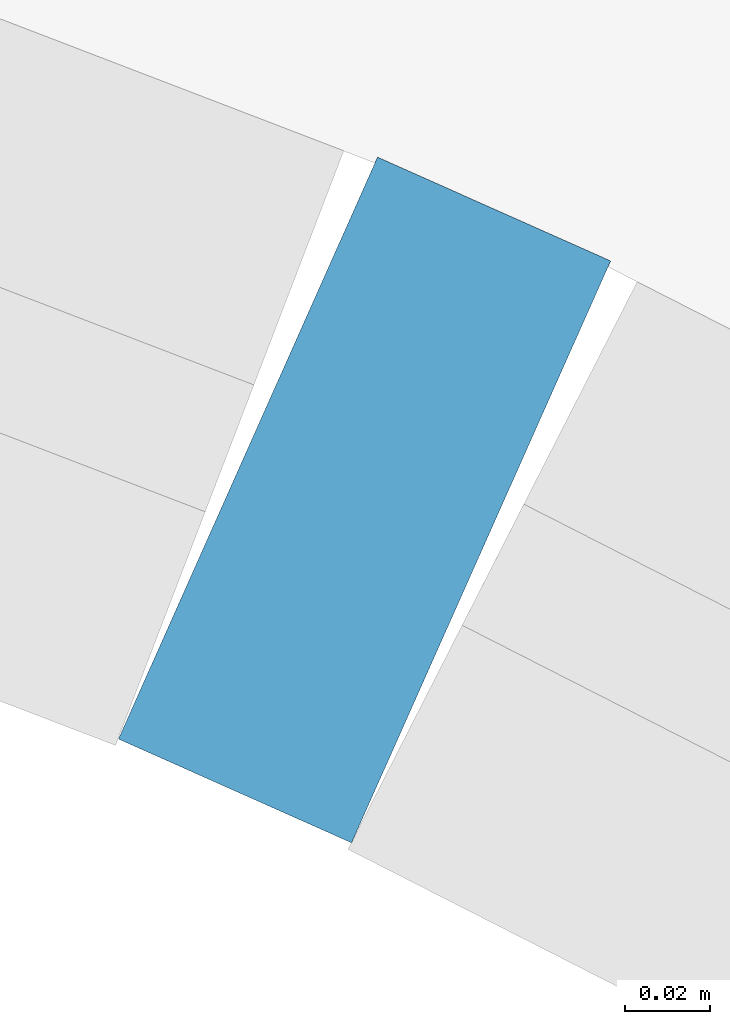
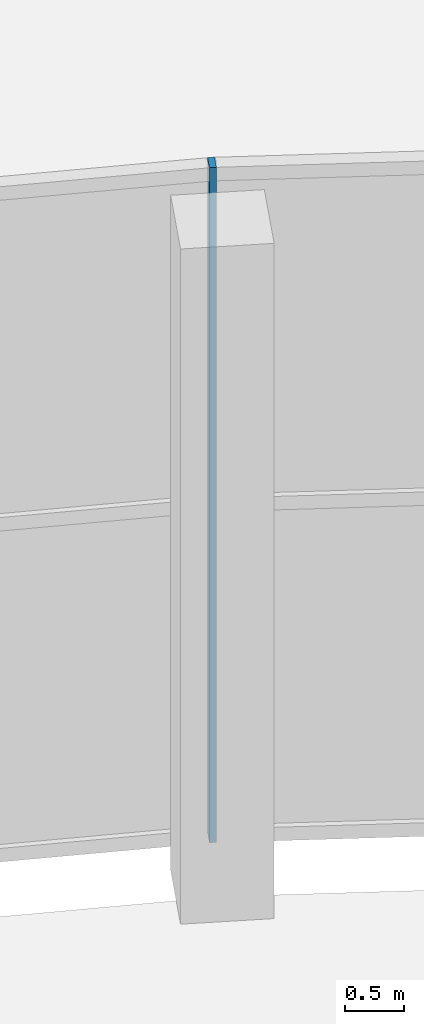
# One storey, part 18 of 60: 1 member, 1 element without a shape of its own.
"""IFC4 building model written with IfcOpenShell, lengths in metres."""

from ifc_helpers import new_model, si_unit, direction, frame, origin, origin_2d, place, context, subcontext, project, spatial, rectangle, extrude, material, layer, layer_set, material_profile, profile_set, type_object, element, aggregate, save


model = new_model("IFC4")

# Units and contexts
model_context = context("Model", 3, precision=1e-05, world=origin(), true_north=direction((0.0, 1.0)))
body_context = subcontext(model_context, "Body", "Model", "MODEL_VIEW")
ifc_project = project(units=[si_unit("LENGTHUNIT", "METRE"), si_unit("AREAUNIT", "SQUARE_METRE"), si_unit("VOLUMEUNIT", "CUBIC_METRE"), si_unit("PLANEANGLEUNIT", "RADIAN"), si_unit("MASSUNIT", "GRAM", prefix="KILO")], contexts=[model_context])

# Site, building, storey
site_placement = place(None, origin())
site = spatial("IfcSite", under=ifc_project, at=site_placement, CompositionType="ELEMENT")
building_placement = place(site_placement, origin())
building = spatial("IfcBuilding", under=site, at=building_placement, Name="Stone Belt Terrace Tower", CompositionType="ELEMENT")
storey_placement = place(building_placement, origin())
storey = spatial("IfcBuildingStorey", under=building, at=storey_placement, Name="L00", CompositionType="ELEMENT", Elevation=0.0)

# Curtain wall, member
ifc_material = material(Name="Aluminium 6063-T6 anodised frame", Category="aluminium")
ifc_layer = layer(ifc_material, 0.14990234375)
ifc_layer_set = layer_set([ifc_layer], Name="CW-D podium shopfront")
curtain_wall_type = type_object("IfcCurtainWallType", Name="CW-D podium shopfront", PredefinedType="NOTDEFINED", material=ifc_layer_set)
curtain_wall_placement = place(storey_placement, origin())
curtain_wall = element("IfcCurtainWall", 1, at=curtain_wall_placement, inside=storey, type_object=curtain_wall_type, Name="CW-D convex face L00", PredefinedType="NOTDEFINED")
ifc_material_profile = material_profile(ifc_material, rectangle(XDim=0.14990234375, YDim=0.06005859375, at=origin_2d()), Name="Aluminium 6063-T6 60x150")
ifc_profile_set = profile_set([ifc_material_profile], Name="Aluminium 6063-T6 anodised frame")
member_type = type_object("IfcMemberType", Name="CW-D mullion 60 x 150", PredefinedType="MULLION", material=ifc_profile_set)
member_placement = place(storey_placement, frame((30.33251953125, 68.127685546875, 0.0), z_axis=(0.0, 0.0, 1.0), x_axis=(-0.406736643076, -0.913545457643, 0.0)))
member = element("IfcMember", 2, at=member_placement, type_object=member_type, Name="CW-D mullion 9", PredefinedType="MULLION", context=body_context, shape_type="SweptSolid", body=[
    extrude(rectangle(XDim=0.14990234375, YDim=0.06005859375, at=origin_2d()), origin(), (0.0, 0.0, 1.0), 7.0),
])
aggregate(curtain_wall, [member])

save(model, "model.ifc")
